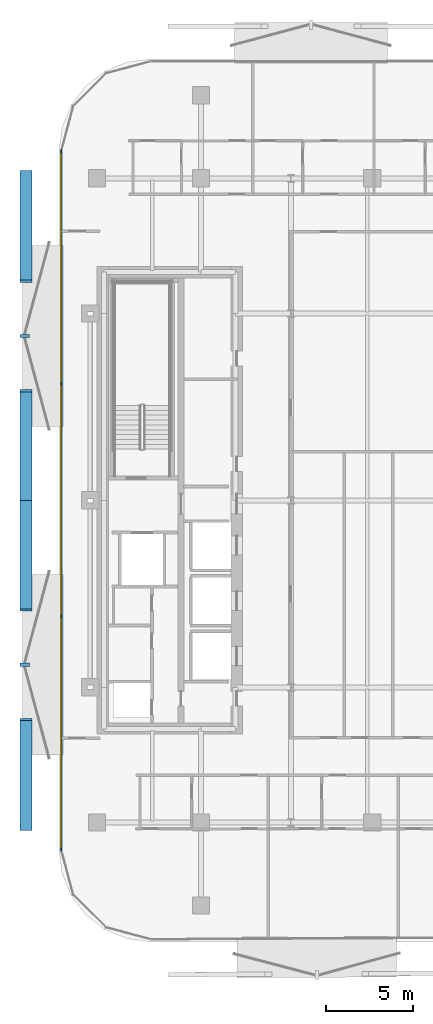
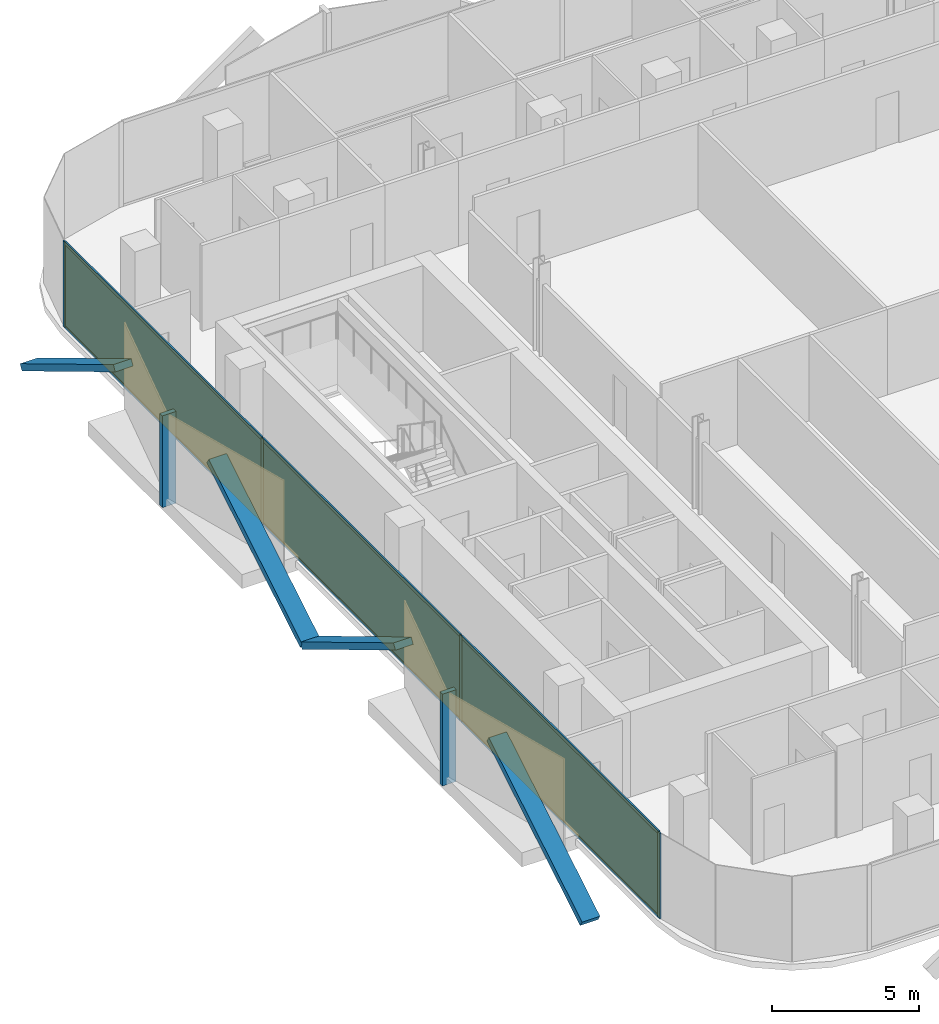
# One storey, part 10 of 17: 16 members, 3 plates, 1 curtain wall.
"""IFC4 building model written with IfcOpenShell, lengths in metres."""

from ifc_helpers import new_model, si_unit, direction, frame, frame_2d, origin, origin_2d, place, context, subcontext, project, spatial, rectangle, extrude, material, layer, layer_set, material_profile, profile_set, type_object, element, aggregate, save


model = new_model("IFC4")

# Units and contexts
model_context = context("Model", 3, precision=1e-05, world=origin(), true_north=direction((0.0, 1.0)))
body_context = subcontext(model_context, "Body", "Model", "MODEL_VIEW")
ifc_project = project(units=[si_unit("LENGTHUNIT", "METRE"), si_unit("AREAUNIT", "SQUARE_METRE"), si_unit("VOLUMEUNIT", "CUBIC_METRE"), si_unit("PLANEANGLEUNIT", "RADIAN"), si_unit("MASSUNIT", "GRAM", prefix="KILO")], contexts=[model_context])

# Member
ifc_material_1 = material(Name="Anodised Bronze Aluminium 6063-T6", Category="aluminium")
ifc_material_profile_1 = material_profile(ifc_material_1, rectangle(XDim=0.260009765625, YDim=0.699951171875, at=origin_2d()))
ifc_profile_set_1 = profile_set([ifc_material_profile_1], Name="Anodised Bronze Aluminium 6063-T6")
member_type_1 = type_object("IfcMemberType", Name="Bronze Diamond Solar-Screen Lattice Rib BDL-700", PredefinedType="MULLION", material=ifc_profile_set_1)
site_placement = place(None, origin())
building_placement = place(site_placement, origin())
storey_placement = place(building_placement, frame((0.0, 0.0, 195.39990234375)))
member_1_placement = place(storey_placement, frame((-24.5, -18.99072265625, -0.1298828125), z_axis=(0.0, 0.857382035675, 0.514680527027), x_axis=(0.0, -0.514680527027, 0.857382035675)))
member_1 = element("IfcMember", 1, at=member_1_placement, type_object=member_type_1, Name="L45 Bronze Diamond Solar Screen Lattice Rib 299A", PredefinedType="MULLION", context=body_context, shape_type="SweptSolid", body=[
    extrude(rectangle(XDim=0.260009765625, YDim=0.699951171875, at=origin_2d()), origin(), (0.0, 0.0, 1.0), 7.38330078125),
])

member_2_placement = place(storey_placement, frame((-24.5, 0.0, -0.1298828125), z_axis=(0.0, -0.857382035675, 0.514680527027), x_axis=(0.0, 0.514680527027, 0.857382035675)))
member_2 = element("IfcMember", 2, at=member_2_placement, type_object=member_type_1, Name="L45 Bronze Diamond Solar Screen Lattice Rib 299B", PredefinedType="MULLION", context=body_context, shape_type="SweptSolid", body=[
    extrude(rectangle(XDim=0.260009765625, YDim=0.699951171875, at=origin_2d()), origin(), (0.0, 0.0, 1.0), 7.38330078125),
])

member_3_placement = place(storey_placement, frame((-24.5, 0.0, -0.1298828125), z_axis=(0.0, 0.857382035675, 0.514680527027), x_axis=(0.0, -0.514680527027, 0.857382035675)))
member_3 = element("IfcMember", 3, at=member_3_placement, type_object=member_type_1, Name="L45 Bronze Diamond Solar Screen Lattice Rib 300A", PredefinedType="MULLION", context=body_context, shape_type="SweptSolid", body=[
    extrude(rectangle(XDim=0.260009765625, YDim=0.699951171875, at=origin_2d()), origin(), (0.0, 0.0, 1.0), 7.38330078125),
])

member_4_placement = place(storey_placement, frame((-24.5, 18.99072265625, -0.1298828125), z_axis=(0.0, -0.857382035675, 0.514680527027), x_axis=(0.0, 0.514680527027, 0.857382035675)))
member_4 = element("IfcMember", 4, at=member_4_placement, type_object=member_type_1, Name="L45 Bronze Diamond Solar Screen Lattice Rib 300B", PredefinedType="MULLION", context=body_context, shape_type="SweptSolid", body=[
    extrude(rectangle(XDim=0.260009765625, YDim=0.699951171875, at=origin_2d()), origin(), (0.0, 0.0, 1.0), 7.38330078125),
])

ifc_material_2 = material(Name="Anodised Bronze Aluminium 6063-T6", Category="aluminium")
ifc_material_profile_2 = material_profile(ifc_material_2, rectangle(XDim=0.179931640625, YDim=0.5400390625, at=origin_2d()))
ifc_profile_set_2 = profile_set([ifc_material_profile_2], Name="Anodised Bronze Aluminium 6063-T6")
member_type_2 = type_object("IfcMemberType", Name="Bronze Solar-Screen Vertical Fold Fin BSF-540", PredefinedType="MULLION", material=ifc_profile_set_2)
member_5_placement = place(storey_placement, frame((-24.580078125, -9.495361328125, -0.1298828125), z_axis=(0.0, 0.0, 1.0), x_axis=(0.0, 1.0, 0.0)))
member_5 = element("IfcMember", 5, at=member_5_placement, type_object=member_type_2, Name="L45 Bronze Solar Screen Vertical Fin 299", PredefinedType="MULLION", context=body_context, shape_type="SweptSolid", body=[
    extrude(rectangle(XDim=0.179931640625, YDim=0.5400390625, at=origin_2d()), origin(), (0.0, 0.0, 1.0), 3.800048828125),
])

member_6_placement = place(storey_placement, frame((-24.580078125, 9.495361328125, -0.1298828125), z_axis=(0.0, 0.0, 1.0), x_axis=(0.0, 1.0, 0.0)))
member_6 = element("IfcMember", 6, at=member_6_placement, type_object=member_type_2, Name="L45 Bronze Solar Screen Vertical Fin 300", PredefinedType="MULLION", context=body_context, shape_type="SweptSolid", body=[
    extrude(rectangle(XDim=0.179931640625, YDim=0.5400390625, at=origin_2d()), origin(), (0.0, 0.0, 1.0), 3.800048828125),
])

ifc_material_3 = material(Name="Anodised Bronze Aluminium 6063-T6", Category="aluminium")
ifc_material_profile_3 = material_profile(ifc_material_3, rectangle(XDim=0.06005859375, YDim=0.1650390625, at=origin_2d()))
ifc_profile_set_3 = profile_set([ifc_material_profile_3], Name="Anodised Bronze Aluminium 6063-T6")
member_type_3 = type_object("IfcMemberType", Name="CW-Z3 Mullion 60x165", PredefinedType="MULLION", material=ifc_profile_set_3)
member_7_placement = place(storey_placement, frame((-22.4599609375, -20.160888671875, 0.0), z_axis=(0.0, 0.0, 1.0), x_axis=(-1.0, 0.0, 0.0)))
member_7 = element("IfcMember", 7, at=member_7_placement, type_object=member_type_3, Name="CW-Z3 mullion 1", PredefinedType="MULLION", context=body_context, shape_type="SweptSolid", body=[
    extrude(rectangle(XDim=0.06005859375, YDim=0.1650390625, at=origin_2d()), origin(), (0.0, 0.0, 1.0), 3.5400390625),
])

member_8_placement = place(storey_placement, frame((-22.4599609375, -6.730224609375, 0.0), z_axis=(0.0, 0.0, 1.0), x_axis=(-1.0, 0.0, 0.0)))
member_8 = element("IfcMember", 8, at=member_8_placement, type_object=member_type_3, Name="CW-Z3 mullion 2", PredefinedType="MULLION", context=body_context, shape_type="SweptSolid", body=[
    extrude(rectangle(XDim=0.06005859375, YDim=0.1650390625, at=origin_2d()), origin(), (0.0, 0.0, 1.0), 3.5400390625),
])

member_9_placement = place(storey_placement, frame((-22.4599609375, 6.730224609375, 0.0), z_axis=(0.0, 0.0, 1.0), x_axis=(-1.0, 0.0, 0.0)))
member_9 = element("IfcMember", 9, at=member_9_placement, type_object=member_type_3, Name="CW-Z3 mullion 3", PredefinedType="MULLION", context=body_context, shape_type="SweptSolid", body=[
    extrude(rectangle(XDim=0.06005859375, YDim=0.1650390625, at=origin_2d()), origin(), (0.0, 0.0, 1.0), 3.5400390625),
])

member_10_placement = place(storey_placement, frame((-22.4599609375, 20.160888671875, 0.0), z_axis=(0.0, 0.0, 1.0), x_axis=(-1.0, 0.0, 0.0)))
member_10 = element("IfcMember", 10, at=member_10_placement, type_object=member_type_3, Name="CW-Z3 mullion 4", PredefinedType="MULLION", context=body_context, shape_type="SweptSolid", body=[
    extrude(rectangle(XDim=0.06005859375, YDim=0.1650390625, at=origin_2d()), origin(), (0.0, 0.0, 1.0), 3.5400390625),
])

ifc_material_4 = material(Name="Anodised Bronze Aluminium 6063-T6", Category="aluminium")
ifc_material_profile_4 = material_profile(ifc_material_4, rectangle(XDim=0.06005859375, YDim=0.1298828125, at=origin_2d()))
ifc_profile_set_4 = profile_set([ifc_material_profile_4], Name="Anodised Bronze Aluminium 6063-T6")
member_type_4 = type_object("IfcMemberType", Name="CW-Z3 Transom 60x130", PredefinedType="USERDEFINED", material=ifc_profile_set_4)
member_11_placement = place(storey_placement, frame((-22.4599609375, -20.130859375, 0.030029296875), z_axis=(0.0, 1.0, 0.0), x_axis=(-1.0, 0.0, 0.0)))
member_11 = element("IfcMember", 11, at=member_11_placement, type_object=member_type_4, Name="CW-Z3 transom 1.1", ObjectType="TRANSOM", PredefinedType="USERDEFINED", context=body_context, shape_type="SweptSolid", body=[
    extrude(rectangle(XDim=0.06005859375, YDim=0.1298828125, at=origin_2d()), origin(), (0.0, 0.0, 1.0), 13.37060546875),
])

member_12_placement = place(storey_placement, frame((-22.4599609375, -20.130859375, 3.510009765625), z_axis=(0.0, 1.0, 0.0), x_axis=(-1.0, 0.0, 0.0)))
member_12 = element("IfcMember", 12, at=member_12_placement, type_object=member_type_4, Name="CW-Z3 transom 1.2", ObjectType="TRANSOM", PredefinedType="USERDEFINED", context=body_context, shape_type="SweptSolid", body=[
    extrude(rectangle(XDim=0.06005859375, YDim=0.1298828125, at=origin_2d()), origin(), (0.0, 0.0, 1.0), 13.37060546875),
])

member_13_placement = place(storey_placement, frame((-22.4599609375, -6.7001953125, 0.030029296875), z_axis=(0.0, 1.0, 0.0), x_axis=(-1.0, 0.0, 0.0)))
member_13 = element("IfcMember", 13, at=member_13_placement, type_object=member_type_4, Name="CW-Z3 transom 2.1", ObjectType="TRANSOM", PredefinedType="USERDEFINED", context=body_context, shape_type="SweptSolid", body=[
    extrude(rectangle(XDim=0.06005859375, YDim=0.1298828125, at=origin_2d()), origin(), (0.0, 0.0, 1.0), 13.400390625),
])

member_14_placement = place(storey_placement, frame((-22.4599609375, -6.7001953125, 3.510009765625), z_axis=(0.0, 1.0, 0.0), x_axis=(-1.0, 0.0, 0.0)))
member_14 = element("IfcMember", 14, at=member_14_placement, type_object=member_type_4, Name="CW-Z3 transom 2.2", ObjectType="TRANSOM", PredefinedType="USERDEFINED", context=body_context, shape_type="SweptSolid", body=[
    extrude(rectangle(XDim=0.06005859375, YDim=0.1298828125, at=origin_2d()), origin(), (0.0, 0.0, 1.0), 13.400390625),
])

member_15_placement = place(storey_placement, frame((-22.4599609375, 6.76025390625, 0.030029296875), z_axis=(0.0, 1.0, 0.0), x_axis=(-1.0, 0.0, 0.0)))
member_15 = element("IfcMember", 15, at=member_15_placement, type_object=member_type_4, Name="CW-Z3 transom 3.1", ObjectType="TRANSOM", PredefinedType="USERDEFINED", context=body_context, shape_type="SweptSolid", body=[
    extrude(rectangle(XDim=0.06005859375, YDim=0.1298828125, at=origin_2d()), origin(), (0.0, 0.0, 1.0), 13.37060546875),
])

member_16_placement = place(storey_placement, frame((-22.4599609375, 6.76025390625, 3.510009765625), z_axis=(0.0, 1.0, 0.0), x_axis=(-1.0, 0.0, 0.0)))
member_16 = element("IfcMember", 16, at=member_16_placement, type_object=member_type_4, Name="CW-Z3 transom 3.2", ObjectType="TRANSOM", PredefinedType="USERDEFINED", context=body_context, shape_type="SweptSolid", body=[
    extrude(rectangle(XDim=0.06005859375, YDim=0.1298828125, at=origin_2d()), origin(), (0.0, 0.0, 1.0), 13.37060546875),
])

# Plate
ifc_material_5 = material(Name="Low-E Solar Control Laminated Glass", Category="glass")
ifc_layer_1 = layer(ifc_material_5, 0.030029296875, Name="Low-E Solar Control Laminated Glass")
ifc_layer_set_1 = layer_set([ifc_layer_1], Name="Low-E Solar Control Laminated Glass")
plate_type = type_object("IfcPlateType", Name="CW-Z3 Low-E Double Glazed Panel 30mm", PredefinedType="CURTAIN_PANEL", material=ifc_layer_set_1)
plate_1_placement = place(storey_placement, frame((-22.4599609375, -13.445556640625, 0.06005859375), z_axis=(0.0, 0.0, 1.0), x_axis=(0.0, 1.0, 0.0)))
plate_1 = element("IfcPlate", 17, at=plate_1_placement, type_object=plate_type, Name="CW-Z3 panel 1.1", PredefinedType="CURTAIN_PANEL", context=body_context, shape_type="SweptSolid", body=[
    extrude(rectangle(XDim=13.37060546875, YDim=0.030029296875, at=origin_2d()), origin(), (0.0, 0.0, 1.0), 3.419921875),
])

plate_2_placement = place(storey_placement, frame((-22.4599609375, 0.0, 0.06005859375), z_axis=(0.0, 0.0, 1.0), x_axis=(0.0, 1.0, 0.0)))
plate_2 = element("IfcPlate", 18, at=plate_2_placement, type_object=plate_type, Name="CW-Z3 panel 2.1", PredefinedType="CURTAIN_PANEL", context=body_context, shape_type="SweptSolid", body=[
    extrude(rectangle(XDim=13.400634765625, YDim=0.030029296875, at=origin_2d()), origin(), (0.0, 0.0, 1.0), 3.419921875),
])

plate_3_placement = place(storey_placement, frame((-22.4599609375, 13.445556640625, 0.06005859375), z_axis=(0.0, 0.0, 1.0), x_axis=(0.0, 1.0, 0.0)))
plate_3 = element("IfcPlate", 19, at=plate_3_placement, type_object=plate_type, Name="CW-Z3 panel 3.1", PredefinedType="CURTAIN_PANEL", context=body_context, shape_type="SweptSolid", body=[
    extrude(rectangle(XDim=13.37060546875, YDim=0.030029296875, at=origin_2d()), origin(), (0.0, 0.0, 1.0), 3.419921875),
])

# Site, building, storey
site = spatial("IfcSite", under=ifc_project, at=site_placement, CompositionType="ELEMENT")
building = spatial("IfcBuilding", under=site, at=building_placement, Name="Khairoan Windgate Tower", CompositionType="ELEMENT")
storey = spatial("IfcBuildingStorey", under=building, at=storey_placement, Name="L45", CompositionType="ELEMENT", Elevation=195.39990234375)

# Curtain wall
ifc_material_6 = material(Name="Anodised Bronze Aluminium 6063-T6", Category="aluminium")
ifc_layer_2 = layer(ifc_material_6, 0.1650390625, Name="Anodised Bronze Aluminium 6063-T6")
ifc_layer_set_2 = layer_set([ifc_layer_2], Name="Anodised Bronze Aluminium 6063-T6")
curtain_wall_type = type_object("IfcCurtainWallType", Name="Luxury Hotel Acoustic Curtain Wall CW-Z3", PredefinedType="NOTDEFINED", material=ifc_layer_set_2)
curtain_wall_placement = place(storey_placement, frame((-22.4599609375, -20.19091796875, 0.0), z_axis=(0.0, 0.0, 1.0), x_axis=(0.0, 1.0, 0.0)))
curtain_wall = element("IfcCurtainWall", 20, at=curtain_wall_placement, inside=storey, type_object=curtain_wall_type, Name="L45 Unitised Curtain Wall 5", PredefinedType="NOTDEFINED", context=body_context, shape_type="SweptSolid", body=[
    extrude(rectangle(XDim=40.3818359375, YDim=0.010009765625, at=frame_2d((20.19091796875, 0.0))), origin(), (0.0, 0.0, 1.0), 3.5400390625),
])

aggregate(curtain_wall, [member_7, member_8, member_9, member_10, member_11, member_12, plate_1, member_13, member_14, plate_2, member_15, member_16, plate_3, member_1, member_2, member_5, member_3, member_4, member_6])

save(model, "model.ifc")
